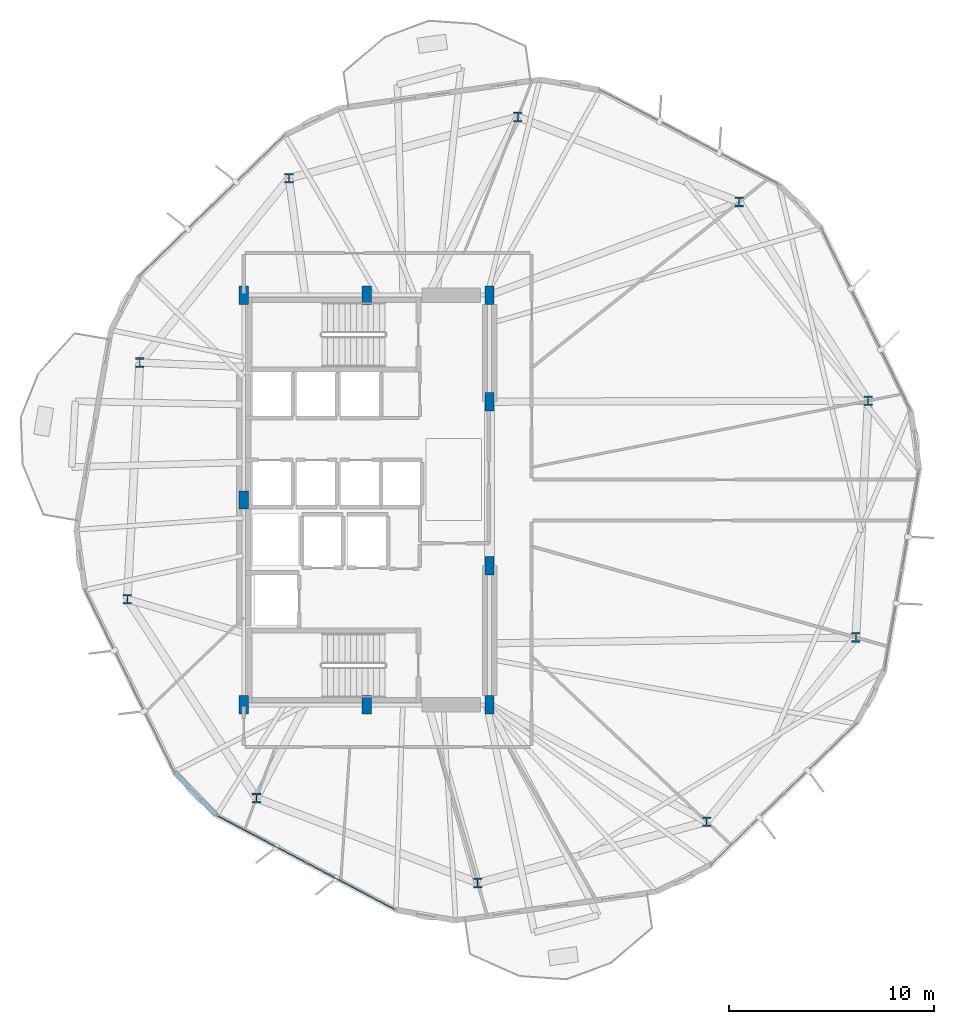
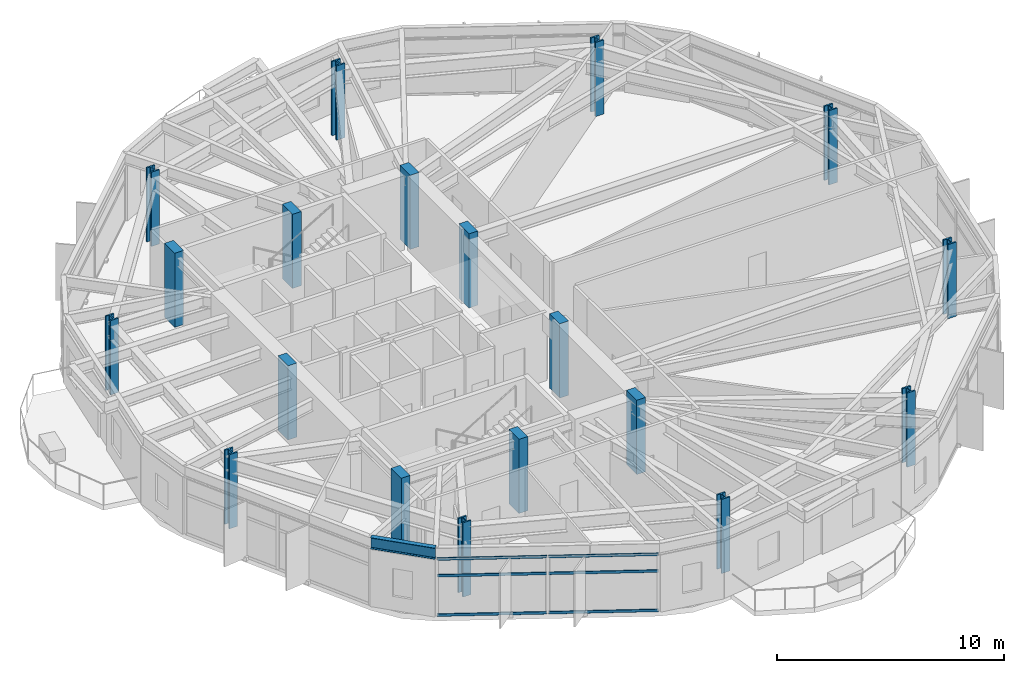
# One storey, part 1 of 22: 19 columns, 6 members, 1 beam, 1 element without a shape of its own.
"""IFC4 building model written with IfcOpenShell, lengths in metres."""

from ifc_helpers import new_model, si_unit, direction, frame, origin, origin_2d, place, context, subcontext, project, spatial, rectangle, hollow_rectangle, i_section, extrude, material, layer, layer_set, material_profile, profile_set, type_object, element, aggregate, save


model = new_model("IFC4")

# Units and contexts
model_context = context("Model", 3, precision=1e-05, world=origin(), true_north=direction((0.0, 1.0)))
body_context = subcontext(model_context, "Body", "Model", "MODEL_VIEW")
ifc_project = project(units=[si_unit("LENGTHUNIT", "METRE"), si_unit("AREAUNIT", "SQUARE_METRE"), si_unit("VOLUMEUNIT", "CUBIC_METRE"), si_unit("PLANEANGLEUNIT", "RADIAN"), si_unit("MASSUNIT", "GRAM", prefix="KILO")], contexts=[model_context])

# Site, building, storey
site_placement = place(None, origin())
site = spatial("IfcSite", under=ifc_project, at=site_placement, CompositionType="ELEMENT")
building_placement = place(site_placement, origin())
building = spatial("IfcBuilding", under=site, at=building_placement, Name="Soratama Intermodal Tower", CompositionType="ELEMENT")
storey_placement = place(building_placement, frame((0.0, 0.0, 58.60009765625)))
storey = spatial("IfcBuildingStorey", under=building, at=storey_placement, Name="L13", CompositionType="ELEMENT", Elevation=58.60009765625)

# Columns
ifc_material_1 = material(Name="Structural steel ASTM A992 Grade 50", Category="steel")
ifc_material_profile_1 = material_profile(ifc_material_1, i_section(OverallWidth=0.424072265625, OverallDepth=0.47412109375, WebThickness=0.047607421875, FlangeThickness=0.0771484375, FilletRadius=0.0380859375, at=origin_2d()), Name="W14X426")
ifc_profile_set_1 = profile_set([ifc_material_profile_1], Name="Structural steel ASTM A992 Grade 50")
column_type_1 = type_object("IfcColumnType", Name="COL-ZA-W14X426", PredefinedType="COLUMN", material=ifc_profile_set_1)
for number, where, z_axis, x_axis, name in (
    (1, (63.08203125, 29.84521484375, 0.0), (0.0, 0.0, 1.0), (1.0, 0.0, 0.0), "L13 Tower Ring Column R01"),
    (2, (56.781005859375, 39.548095703125, 0.0), (0.0, 0.0, 1.0), (1.0, 0.0, 0.0), "L13 Tower Ring Column R02"),
    (3, (45.979736328125, 43.6943359375, 0.0), (0.0, 0.0, 1.0), (1.0, 0.0, 0.0), "L13 Tower Ring Column R03"),
    (4, (34.804443359375, 40.699951171875, 0.0), (0.0, 0.0, 1.0), (1.0, 0.0, 0.0), "L13 Tower Ring Column R04"),
    (5, (27.5234375, 31.70849609375, 0.0), (0.0, 0.0, 1.0), (1.0, 0.0, 0.0), "L13 Tower Ring Column R05"),
    (6, (26.91796875, 20.15478515625, 0.0), (0.0, 0.0, 1.0), (1.0, 0.0, 0.0), "L13 Tower Ring Column R06"),
    (7, (33.218994140625, 10.451904296875, 0.0), (0.0, 0.0, 1.0), (1.0, 0.0, 0.0), "L13 Tower Ring Column R07"),
    (8, (44.020263671875, 6.3056640625, 0.0), (0.0, 0.0, 1.0), (1.0, 0.0, 0.0), "L13 Tower Ring Column R08"),
    (9, (55.195556640625, 9.300048828125, 0.0), (0.0, 0.0, 1.0), (1.0, 0.0, 0.0), "L13 Tower Ring Column R09"),
    (10, (62.4765625, 18.29150390625, 0.0), (0.0, 0.0, 1.0), (1.0, 0.0, 0.0), "L13 Tower Ring Column R10"),
):
    element("IfcColumn", number, at=place(storey_placement, frame(where, z_axis=z_axis, x_axis=x_axis)), inside=storey, type_object=column_type_1, Name=name, PredefinedType="COLUMN", context=body_context, shape_type="SweptSolid", body=[
        extrude(i_section(OverallWidth=0.424072265625, OverallDepth=0.47412109375, WebThickness=0.047607421875, FlangeThickness=0.0771484375, FilletRadius=0.0380859375, at=origin_2d()), origin(), (0.0, 0.0, 1.0), 4.0),
    ])
ifc_material_2 = material(Name="Concrete f'c 56 MPa", Category="concrete")
ifc_material_profile_2 = material_profile(ifc_material_2, rectangle(XDim=0.449951171875, YDim=0.89990234375, at=origin_2d()), Name="RC450X900")
ifc_profile_set_2 = profile_set([ifc_material_profile_2], Name="Concrete f'c 56 MPa")
column_type_2 = type_object("IfcColumnType", Name="PIL-CORE-450X900", PredefinedType="PILASTER", material=ifc_profile_set_2)
for number, where, z_axis, x_axis, name in (
    (11, (32.60009765625, 15.0, 0.0), (0.0, 0.0, 1.0), (1.0, 0.0, 0.0), "L13 Core Pilaster 1"),
    (12, (32.60009765625, 25.0, 0.0), (0.0, 0.0, 1.0), (1.0, 0.0, 0.0), "L13 Core Pilaster 2"),
    (13, (32.60009765625, 35.0, 0.0), (0.0, 0.0, 1.0), (1.0, 0.0, 0.0), "L13 Core Pilaster 3"),
    (14, (38.60009765625, 15.0, 0.0), (0.0, 0.0, 1.0), (1.0, 0.0, 0.0), "L13 Core Pilaster 4"),
    (15, (38.60009765625, 35.0, 0.0), (0.0, 0.0, 1.0), (1.0, 0.0, 0.0), "L13 Core Pilaster 5"),
    (16, (44.60009765625, 15.0, 0.0), (0.0, 0.0, 1.0), (1.0, 0.0, 0.0), "L13 Core Pilaster 6"),
    (17, (44.60009765625, 21.800048828125, 0.0), (0.0, 0.0, 1.0), (1.0, 0.0, 0.0), "L13 Core Pilaster 7"),
    (18, (44.60009765625, 29.800048828125, 0.0), (0.0, 0.0, 1.0), (1.0, 0.0, 0.0), "L13 Core Pilaster 8"),
    (19, (44.60009765625, 35.0, 0.0), (0.0, 0.0, 1.0), (1.0, 0.0, 0.0), "L13 Core Pilaster 9"),
):
    element("IfcColumn", number, at=place(storey_placement, frame(where, z_axis=z_axis, x_axis=x_axis)), inside=storey, type_object=column_type_2, Name=name, PredefinedType="PILASTER", context=body_context, shape_type="SweptSolid", body=[
        extrude(rectangle(XDim=0.449951171875, YDim=0.89990234375, at=origin_2d()), origin(), (0.0, 0.0, 1.0), 4.0),
    ])

# Beam
ifc_material_3 = material(Name="Structural steel ASTM A992 Grade 50", Category="steel")
ifc_material_profile_3 = material_profile(ifc_material_3, i_section(OverallWidth=0.22900390625, OverallDepth=0.612060546875, WebThickness=0.011962890625, FlangeThickness=0.01953125, FilletRadius=0.012939453125, at=origin_2d()), Name="W24X84")
ifc_profile_set_3 = profile_set([ifc_material_profile_3], Name="Structural steel ASTM A992 Grade 50")
beam_type = type_object("IfcBeamType", Name="BM-SPN-W24X84", PredefinedType="SPANDREL", material=ifc_profile_set_3)
beam_placement = place(storey_placement, frame((29.20703125, 11.73095703125, 3.393798828125), z_axis=(0.696575105417, -0.717483883103, 0.0), x_axis=(0.717483883103, 0.696575105417, 0.0)))
element("IfcBeam", 20, at=beam_placement, inside=storey, type_object=beam_type, Name="BS-L13-CRN06", PredefinedType="SPANDREL", context=body_context, shape_type="SweptSolid", body=[
    extrude(i_section(OverallWidth=0.22900390625, OverallDepth=0.612060546875, WebThickness=0.011962890625, FlangeThickness=0.01953125, FilletRadius=0.012939453125, at=origin_2d()), origin(), (0.0, 0.0, 1.0), 2.9658203125),
])

# Curtain wall, members
ifc_material_4 = material(Name="Double-glazed aluminium curtain wall", Category="aluminium")
ifc_layer = layer(ifc_material_4, 0.159912109375)
ifc_layer_set = layer_set([ifc_layer], Name="Double-glazed aluminium curtain wall")
curtain_wall_type = type_object("IfcCurtainWallType", Name="CW-SYS-2", PredefinedType="NOTDEFINED", material=ifc_layer_set)
curtain_wall_placement = place(storey_placement, origin())
curtain_wall = element("IfcCurtainWall", 21, at=curtain_wall_placement, inside=storey, type_object=curtain_wall_type, Name="L13 Faceted Curtain Wall F07", PredefinedType="NOTDEFINED")
ifc_material_5 = material(Name="Anodised aluminium AA 6063-T6", Category="aluminium")
ifc_material_profile_4 = material_profile(ifc_material_5, hollow_rectangle(XDim=0.06494140625, YDim=0.14990234375, WallThickness=0.0048828125, InnerFilletRadius=0.0048828125, OuterFilletRadius=0.010009765625, at=origin_2d()), Name="CWT150X65X5")
ifc_profile_set_4 = profile_set([ifc_material_profile_4], Name="Anodised aluminium AA 6063-T6")
member_type = type_object("IfcMemberType", Name="TT-CWT-1", PredefinedType="USERDEFINED", material=ifc_profile_set_4)
member_1_placement = place(storey_placement, frame((31.32666015625, 9.574462890625, 0.02978515625), z_axis=(0.884274064595, -0.466968284452, 0.0), x_axis=(0.466968284452, 0.884274064595, 0.0)))
member_1 = element("IfcMember", 22, at=member_1_placement, type_object=member_type, Name="CW-2 transom 1.1", ObjectType="TRANSOM", PredefinedType="USERDEFINED", context=body_context, shape_type="SweptSolid", body=[
    extrude(hollow_rectangle(XDim=0.06494140625, YDim=0.14990234375, WallThickness=0.0048828125, InnerFilletRadius=0.0048828125, OuterFilletRadius=0.010009765625, at=origin_2d()), origin(), (0.0, 0.0, 1.0), 4.85693359375),
])
member_2_placement = place(storey_placement, frame((31.32666015625, 9.574462890625, 2.14990234375), z_axis=(0.884274064595, -0.466968284452, 0.0), x_axis=(0.466968284452, 0.884274064595, 0.0)))
member_2 = element("IfcMember", 23, at=member_2_placement, type_object=member_type, Name="CW-2 transom 1.2", ObjectType="TRANSOM", PredefinedType="USERDEFINED", context=body_context, shape_type="SweptSolid", body=[
    extrude(hollow_rectangle(XDim=0.06494140625, YDim=0.14990234375, WallThickness=0.0048828125, InnerFilletRadius=0.0048828125, OuterFilletRadius=0.010009765625, at=origin_2d()), origin(), (0.0, 0.0, 1.0), 4.85693359375),
])
member_3_placement = place(storey_placement, frame((31.32666015625, 9.574462890625, 3.048828125), z_axis=(0.884274064595, -0.466968284452, 0.0), x_axis=(0.466968284452, 0.884274064595, 0.0)))
member_3 = element("IfcMember", 24, at=member_3_placement, type_object=member_type, Name="CW-2 transom 1.3", ObjectType="TRANSOM", PredefinedType="USERDEFINED", context=body_context, shape_type="SweptSolid", body=[
    extrude(hollow_rectangle(XDim=0.06494140625, YDim=0.14990234375, WallThickness=0.0048828125, InnerFilletRadius=0.0048828125, OuterFilletRadius=0.010009765625, at=origin_2d()), origin(), (0.0, 0.0, 1.0), 4.85693359375),
])
member_4_placement = place(storey_placement, frame((35.674560546875, 7.2783203125, 0.02978515625), z_axis=(0.8842533081, -0.467007587856, 0.0), x_axis=(0.467007587856, 0.8842533081, 0.0)))
member_4 = element("IfcMember", 25, at=member_4_placement, type_object=member_type, Name="CW-2 transom 2.1", ObjectType="TRANSOM", PredefinedType="USERDEFINED", context=body_context, shape_type="SweptSolid", body=[
    extrude(hollow_rectangle(XDim=0.06494140625, YDim=0.14990234375, WallThickness=0.0048828125, InnerFilletRadius=0.0048828125, OuterFilletRadius=0.010009765625, at=origin_2d()), origin(), (0.0, 0.0, 1.0), 4.857177734375),
])
member_5_placement = place(storey_placement, frame((35.674560546875, 7.2783203125, 2.14990234375), z_axis=(0.8842533081, -0.467007587856, 0.0), x_axis=(0.467007587856, 0.8842533081, 0.0)))
member_5 = element("IfcMember", 26, at=member_5_placement, type_object=member_type, Name="CW-2 transom 2.2", ObjectType="TRANSOM", PredefinedType="USERDEFINED", context=body_context, shape_type="SweptSolid", body=[
    extrude(hollow_rectangle(XDim=0.06494140625, YDim=0.14990234375, WallThickness=0.0048828125, InnerFilletRadius=0.0048828125, OuterFilletRadius=0.010009765625, at=origin_2d()), origin(), (0.0, 0.0, 1.0), 4.857177734375),
])
member_6_placement = place(storey_placement, frame((35.674560546875, 7.2783203125, 3.048828125), z_axis=(0.8842533081, -0.467007587856, 0.0), x_axis=(0.467007587856, 0.8842533081, 0.0)))
member_6 = element("IfcMember", 27, at=member_6_placement, type_object=member_type, Name="CW-2 transom 2.3", ObjectType="TRANSOM", PredefinedType="USERDEFINED", context=body_context, shape_type="SweptSolid", body=[
    extrude(hollow_rectangle(XDim=0.06494140625, YDim=0.14990234375, WallThickness=0.0048828125, InnerFilletRadius=0.0048828125, OuterFilletRadius=0.010009765625, at=origin_2d()), origin(), (0.0, 0.0, 1.0), 4.857177734375),
])
aggregate(curtain_wall, [member_1, member_2, member_3, member_4, member_5, member_6])

save(model, "model.ifc")
